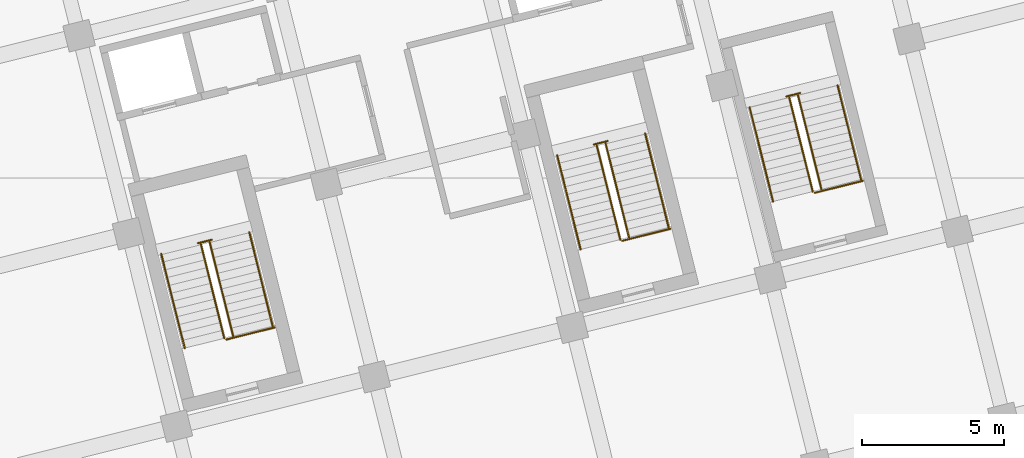
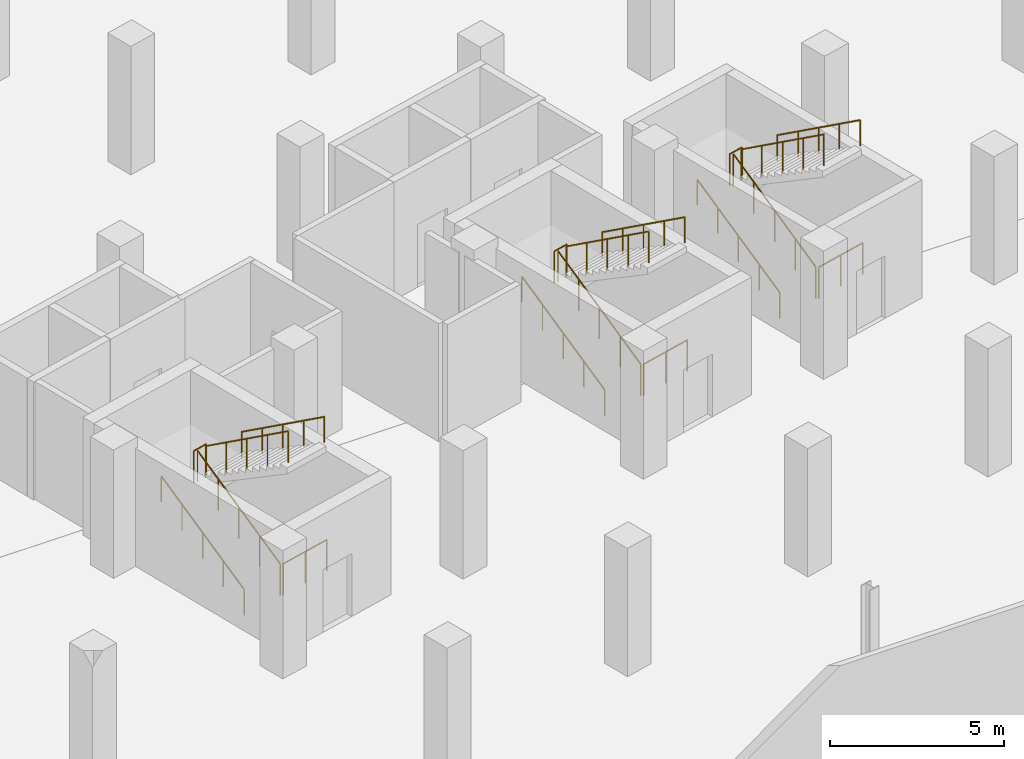
# One storey, part 29 of 31: 18 railings.
"""IFC4 building model written with IfcOpenShell, lengths in metres."""

from ifc_helpers import new_model, si_unit, direction, frame, origin, origin_2d, place, context, subcontext, project, spatial, circle, extrude, material, layer, layer_set, type_object, element, save


model = new_model("IFC4")

# Units and contexts
model_context = context("Model", 3, precision=1e-05, world=origin(), true_north=direction((0.0, 1.0)))
body_context = subcontext(model_context, "Body", "Model", "MODEL_VIEW")
ifc_project = project(units=[si_unit("LENGTHUNIT", "METRE"), si_unit("AREAUNIT", "SQUARE_METRE"), si_unit("VOLUMEUNIT", "CUBIC_METRE"), si_unit("PLANEANGLEUNIT", "RADIAN"), si_unit("MASSUNIT", "GRAM", prefix="KILO")], contexts=[model_context])

# Site, building, storey
site_placement = place(None, origin())
site = spatial("IfcSite", under=ifc_project, at=site_placement, CompositionType="ELEMENT")
building_placement = place(site_placement, origin())
building = spatial("IfcBuilding", under=site, at=building_placement, Name="Meriwether Solvik Hall", CompositionType="ELEMENT")
storey_placement = place(building_placement, frame((0.0, 0.0, -4.5)))
storey = spatial("IfcBuildingStorey", under=building, at=storey_placement, Name="B01", CompositionType="ELEMENT", Elevation=-4.5)

# Railings
ifc_material_1 = material(Name="Steel A36 Galvanised", Category="steel")
ifc_layer_1 = layer(ifc_material_1, 0.054931640625)
ifc_layer_set_1 = layer_set([ifc_layer_1], Name="Steel A36 Galvanised")
railing_type_1 = type_object("IfcRailingType", Name="RAIL-STR-GUARD", PredefinedType="GUARDRAIL", material=ifc_layer_set_1)
railing_1_placement = place(storey_placement, frame((75.090087890625, 56.092529296875, 2.25)))
element("IfcRailing", 1, at=railing_1_placement, inside=storey, type_object=railing_type_1, Name="Stair ST-01 Landing Guardrail (B01)", PredefinedType="GUARDRAIL", context=body_context, shape_type="SweptSolid", body=[
    extrude(circle(Radius=0.02392578125, at=origin_2d()), frame((0.0, 0.0, 1.09619140625), z_axis=(0.970343250308, 0.241731207299, 0.0), x_axis=(-0.241731207299, 0.970343250308, 0.0)), (0.0, 0.0, 1.0), 0.5),
    extrude(circle(Radius=0.02099609375, at=origin_2d()), origin(), (0.0, 0.0, 1.0), 1.072021484375),
    extrude(circle(Radius=0.02099609375, at=origin_2d()), frame((0.485107421875, 0.120849609375, 0.0)), (0.0, 0.0, 1.0), 1.072021484375),
])
railing_2_placement = place(storey_placement, frame((76.092041015625, 52.69384765625, 0.0)))
element("IfcRailing", 2, at=railing_2_placement, inside=storey, type_object=railing_type_1, Name="Stair ST-01 Well Guardrail (B01)", PredefinedType="GUARDRAIL", context=body_context, shape_type="SweptSolid", body=[
    extrude(circle(Radius=0.02392578125, at=origin_2d()), frame((0.0, 0.0, 1.09619140625), z_axis=(0.970298223594, 0.241911879182, 0.0), x_axis=(-0.241911879182, 0.970298223594, 0.0)), (0.0, 0.0, 1.0), 1.75),
    extrude(circle(Radius=0.02099609375, at=origin_2d()), origin(), (0.0, 0.0, 1.0), 1.072021484375),
    extrude(circle(Radius=0.02099609375, at=origin_2d()), frame((0.84912109375, 0.211669921875, 0.0)), (0.0, 0.0, 1.0), 1.072021484375),
    extrude(circle(Radius=0.02099609375, at=origin_2d()), frame((1.697998046875, 0.42333984375, 0.0)), (0.0, 0.0, 1.0), 1.072021484375),
])
railing_3_placement = place(storey_placement, frame((76.019287109375, 52.737548828125, 0.0)))
element("IfcRailing", 3, at=railing_3_placement, inside=storey, type_object=railing_type_1, Name="Stair ST-01 Flight 1 Inner Guardrail (B01)", PredefinedType="GUARDRAIL", context=body_context, shape_type="SweptSolid", body=[
    extrude(circle(Radius=0.02392578125, at=origin_2d()), frame((0.0, 0.0, 1.09619140625), z_axis=(-0.202112380038, 0.810596479635, 0.549621627157), x_axis=(-0.970293484379, -0.241930887181, 0.0)), (0.0, 0.0, 1.0), 4.09375),
    extrude(circle(Radius=0.02099609375, at=origin_2d()), origin(), (0.0, 0.0, 1.0), 1.072021484375),
    extrude(circle(Radius=0.02099609375, at=origin_2d()), frame((-0.206787109375, 0.82958984375, 0.5625)), (0.0, 0.0, 1.0), 1.072021484375),
    extrude(circle(Radius=0.02099609375, at=origin_2d()), frame((-0.41357421875, 1.6591796875, 1.125)), (0.0, 0.0, 1.0), 1.072021484375),
    extrude(circle(Radius=0.02099609375, at=origin_2d()), frame((-0.62060546875, 2.48876953125, 1.6875)), (0.0, 0.0, 1.0), 1.072021484375),
    extrude(circle(Radius=0.02099609375, at=origin_2d()), frame((-0.827392578125, 3.318359375, 2.25)), (0.0, 0.0, 1.0), 1.072021484375),
])
railing_4_placement = place(storey_placement, frame((75.502197265625, 56.13330078125, 2.25)))
element("IfcRailing", 4, at=railing_4_placement, inside=storey, type_object=railing_type_1, Name="Stair ST-01 Flight 2 Inner Guardrail (B01)", PredefinedType="GUARDRAIL", context=body_context, shape_type="SweptSolid", body=[
    extrude(circle(Radius=0.02392578125, at=origin_2d()), frame((0.0, 0.0, 1.09619140625), z_axis=(0.202112380038, -0.810596479635, 0.549621627157), x_axis=(0.970293484379, 0.241930887181, 0.0)), (0.0, 0.0, 1.0), 4.09375),
    extrude(circle(Radius=0.02099609375, at=origin_2d()), origin(), (0.0, 0.0, 1.0), 1.072021484375),
    extrude(circle(Radius=0.02099609375, at=origin_2d()), frame((0.206787109375, -0.82958984375, 0.5625)), (0.0, 0.0, 1.0), 1.072021484375),
    extrude(circle(Radius=0.02099609375, at=origin_2d()), frame((0.41357421875, -1.6591796875, 1.125)), (0.0, 0.0, 1.0), 1.072021484375),
    extrude(circle(Radius=0.02099609375, at=origin_2d()), frame((0.62060546875, -2.48876953125, 1.6875)), (0.0, 0.0, 1.0), 1.072021484375),
    extrude(circle(Radius=0.02099609375, at=origin_2d()), frame((0.827392578125, -3.318359375, 2.25)), (0.0, 0.0, 1.0), 1.072021484375),
])
railing_5_placement = place(storey_placement, frame((89.062255859375, 59.576171875, 2.25)))
element("IfcRailing", 5, at=railing_5_placement, inside=storey, type_object=railing_type_1, Name="Stair ST-02 Landing Guardrail (B01)", PredefinedType="GUARDRAIL", context=body_context, shape_type="SweptSolid", body=[
    extrude(circle(Radius=0.02392578125, at=origin_2d()), frame((0.0, 0.0, 1.09619140625), z_axis=(0.970343250308, 0.241731207299, 0.0), x_axis=(-0.241731207299, 0.970343250308, 0.0)), (0.0, 0.0, 1.0), 0.5),
    extrude(circle(Radius=0.02099609375, at=origin_2d()), origin(), (0.0, 0.0, 1.0), 1.072021484375),
    extrude(circle(Radius=0.02099609375, at=origin_2d()), frame((0.485107421875, 0.120849609375, 0.0)), (0.0, 0.0, 1.0), 1.072021484375),
])
railing_6_placement = place(storey_placement, frame((90.064208984375, 56.177490234375, 0.0)))
element("IfcRailing", 6, at=railing_6_placement, inside=storey, type_object=railing_type_1, Name="Stair ST-02 Well Guardrail (B01)", PredefinedType="GUARDRAIL", context=body_context, shape_type="SweptSolid", body=[
    extrude(circle(Radius=0.02392578125, at=origin_2d()), frame((0.0, 0.0, 1.09619140625), z_axis=(0.970298223594, 0.241911879182, 0.0), x_axis=(-0.241911879182, 0.970298223594, 0.0)), (0.0, 0.0, 1.0), 1.75),
    extrude(circle(Radius=0.02099609375, at=origin_2d()), origin(), (0.0, 0.0, 1.0), 1.072021484375),
    extrude(circle(Radius=0.02099609375, at=origin_2d()), frame((0.84912109375, 0.211669921875, 0.0)), (0.0, 0.0, 1.0), 1.072021484375),
    extrude(circle(Radius=0.02099609375, at=origin_2d()), frame((1.697998046875, 0.42333984375, 0.0)), (0.0, 0.0, 1.0), 1.072021484375),
])
railing_7_placement = place(storey_placement, frame((89.991455078125, 56.22119140625, 0.0)))
element("IfcRailing", 7, at=railing_7_placement, inside=storey, type_object=railing_type_1, Name="Stair ST-02 Flight 1 Inner Guardrail (B01)", PredefinedType="GUARDRAIL", context=body_context, shape_type="SweptSolid", body=[
    extrude(circle(Radius=0.02392578125, at=origin_2d()), frame((0.0, 0.0, 1.09619140625), z_axis=(-0.202112380038, 0.810596479635, 0.549621627157), x_axis=(-0.970293484379, -0.241930887181, 0.0)), (0.0, 0.0, 1.0), 4.09375),
    extrude(circle(Radius=0.02099609375, at=origin_2d()), origin(), (0.0, 0.0, 1.0), 1.072021484375),
    extrude(circle(Radius=0.02099609375, at=origin_2d()), frame((-0.206787109375, 0.82958984375, 0.5625)), (0.0, 0.0, 1.0), 1.072021484375),
    extrude(circle(Radius=0.02099609375, at=origin_2d()), frame((-0.41357421875, 1.6591796875, 1.125)), (0.0, 0.0, 1.0), 1.072021484375),
    extrude(circle(Radius=0.02099609375, at=origin_2d()), frame((-0.62060546875, 2.48876953125, 1.6875)), (0.0, 0.0, 1.0), 1.072021484375),
    extrude(circle(Radius=0.02099609375, at=origin_2d()), frame((-0.827392578125, 3.318359375, 2.25)), (0.0, 0.0, 1.0), 1.072021484375),
])
railing_8_placement = place(storey_placement, frame((89.474609375, 59.6171875, 2.25)))
element("IfcRailing", 8, at=railing_8_placement, inside=storey, type_object=railing_type_1, Name="Stair ST-02 Flight 2 Inner Guardrail (B01)", PredefinedType="GUARDRAIL", context=body_context, shape_type="SweptSolid", body=[
    extrude(circle(Radius=0.02392578125, at=origin_2d()), frame((0.0, 0.0, 1.09619140625), z_axis=(0.202102609838, -0.81061692993, 0.549595058209), x_axis=(0.970297662271, 0.241914130614, 0.0)), (0.0, 0.0, 1.0), 4.093994140625),
    extrude(circle(Radius=0.02099609375, at=origin_2d()), origin(), (0.0, 0.0, 1.0), 1.072021484375),
    extrude(circle(Radius=0.02099609375, at=origin_2d()), frame((0.206787109375, -0.82958984375, 0.5625)), (0.0, 0.0, 1.0), 1.072021484375),
    extrude(circle(Radius=0.02099609375, at=origin_2d()), frame((0.41357421875, -1.6591796875, 1.125)), (0.0, 0.0, 1.0), 1.072021484375),
    extrude(circle(Radius=0.02099609375, at=origin_2d()), frame((0.62060546875, -2.489013671875, 1.6875)), (0.0, 0.0, 1.0), 1.072021484375),
    extrude(circle(Radius=0.02099609375, at=origin_2d()), frame((0.827392578125, -3.318603515625, 2.25)), (0.0, 0.0, 1.0), 1.072021484375),
])
railing_9_placement = place(storey_placement, frame((95.854248046875, 61.26953125, 2.25)))
element("IfcRailing", 9, at=railing_9_placement, inside=storey, type_object=railing_type_1, Name="Stair ST-03 Landing Guardrail (B01)", PredefinedType="GUARDRAIL", context=body_context, shape_type="SweptSolid", body=[
    extrude(circle(Radius=0.02392578125, at=origin_2d()), frame((0.0, 0.0, 1.09619140625), z_axis=(0.970228607419, 0.242190935722, 0.0), x_axis=(-0.242190935722, 0.970228607419, 0.0)), (0.0, 0.0, 1.0), 0.5),
    extrude(circle(Radius=0.02099609375, at=origin_2d()), origin(), (0.0, 0.0, 1.0), 1.072021484375),
    extrude(circle(Radius=0.02099609375, at=origin_2d()), frame((0.485107421875, 0.12109375, 0.0)), (0.0, 0.0, 1.0), 1.072021484375),
])
railing_10_placement = place(storey_placement, frame((96.856201171875, 57.87109375, 0.0)))
element("IfcRailing", 10, at=railing_10_placement, inside=storey, type_object=railing_type_1, Name="Stair ST-03 Well Guardrail (B01)", PredefinedType="GUARDRAIL", context=body_context, shape_type="SweptSolid", body=[
    extrude(circle(Radius=0.02392578125, at=origin_2d()), frame((0.0, 0.0, 1.09619140625), z_axis=(0.970298223594, 0.241911879182, 0.0), x_axis=(-0.241911879182, 0.970298223594, 0.0)), (0.0, 0.0, 1.0), 1.75),
    extrude(circle(Radius=0.02099609375, at=origin_2d()), origin(), (0.0, 0.0, 1.0), 1.072021484375),
    extrude(circle(Radius=0.02099609375, at=origin_2d()), frame((0.84912109375, 0.211669921875, 0.0)), (0.0, 0.0, 1.0), 1.072021484375),
    extrude(circle(Radius=0.02099609375, at=origin_2d()), frame((1.697998046875, 0.42333984375, 0.0)), (0.0, 0.0, 1.0), 1.072021484375),
])
railing_11_placement = place(storey_placement, frame((96.783447265625, 57.914794921875, 0.0)))
element("IfcRailing", 11, at=railing_11_placement, inside=storey, type_object=railing_type_1, Name="Stair ST-03 Flight 1 Inner Guardrail (B01)", PredefinedType="GUARDRAIL", context=body_context, shape_type="SweptSolid", body=[
    extrude(circle(Radius=0.02392578125, at=origin_2d()), frame((0.0, 0.0, 1.09619140625), z_axis=(-0.202112380038, 0.810596479635, 0.549621627157), x_axis=(-0.970293484379, -0.241930887181, 0.0)), (0.0, 0.0, 1.0), 4.09375),
    extrude(circle(Radius=0.02099609375, at=origin_2d()), origin(), (0.0, 0.0, 1.0), 1.072021484375),
    extrude(circle(Radius=0.02099609375, at=origin_2d()), frame((-0.206787109375, 0.82958984375, 0.5625)), (0.0, 0.0, 1.0), 1.072021484375),
    extrude(circle(Radius=0.02099609375, at=origin_2d()), frame((-0.41357421875, 1.6591796875, 1.125)), (0.0, 0.0, 1.0), 1.072021484375),
    extrude(circle(Radius=0.02099609375, at=origin_2d()), frame((-0.62060546875, 2.48876953125, 1.6875)), (0.0, 0.0, 1.0), 1.072021484375),
    extrude(circle(Radius=0.02099609375, at=origin_2d()), frame((-0.827392578125, 3.318359375, 2.25)), (0.0, 0.0, 1.0), 1.072021484375),
])
railing_12_placement = place(storey_placement, frame((96.2666015625, 61.310546875, 2.25)))
element("IfcRailing", 12, at=railing_12_placement, inside=storey, type_object=railing_type_1, Name="Stair ST-03 Flight 2 Inner Guardrail (B01)", PredefinedType="GUARDRAIL", context=body_context, shape_type="SweptSolid", body=[
    extrude(circle(Radius=0.02392578125, at=origin_2d()), frame((0.0, 0.0, 1.09619140625), z_axis=(0.202112380038, -0.810596479635, 0.549621627157), x_axis=(0.970293484379, 0.241930887181, 0.0)), (0.0, 0.0, 1.0), 4.09375),
    extrude(circle(Radius=0.02099609375, at=origin_2d()), origin(), (0.0, 0.0, 1.0), 1.072021484375),
    extrude(circle(Radius=0.02099609375, at=origin_2d()), frame((0.206787109375, -0.82958984375, 0.5625)), (0.0, 0.0, 1.0), 1.072021484375),
    extrude(circle(Radius=0.02099609375, at=origin_2d()), frame((0.41357421875, -1.6591796875, 1.125)), (0.0, 0.0, 1.0), 1.072021484375),
    extrude(circle(Radius=0.02099609375, at=origin_2d()), frame((0.62060546875, -2.48876953125, 1.6875)), (0.0, 0.0, 1.0), 1.072021484375),
    extrude(circle(Radius=0.02099609375, at=origin_2d()), frame((0.827392578125, -3.318359375, 2.25)), (0.0, 0.0, 1.0), 1.072021484375),
])
ifc_material_2 = material(Name="Stainless Steel AISI 316", Category="steel")
ifc_layer_2 = layer(ifc_material_2, 0.044921875)
ifc_layer_set_2 = layer_set([ifc_layer_2], Name="Stainless Steel AISI 316")
railing_type_2 = type_object("IfcRailingType", Name="RAIL-STR-HAND", PredefinedType="HANDRAIL", material=ifc_layer_set_2)
railing_13_placement = place(storey_placement, frame((74.6220703125, 52.38916015625, 0.0)))
element("IfcRailing", 13, at=railing_13_placement, inside=storey, type_object=railing_type_2, Name="Stair ST-01 Lower Handrail (B01)", PredefinedType="HANDRAIL", context=body_context, shape_type="SweptSolid", body=[
    extrude(circle(Radius=0.02392578125, at=origin_2d()), frame((0.0, 0.0, 0.89599609375), z_axis=(-0.202115093549, 0.810603568121, 0.54961017486), x_axis=(-0.970293218539, -0.241931953359, 0.0)), (0.0, 0.0, 1.0), 4.100830078125),
    extrude(circle(Radius=0.02099609375, at=origin_2d()), origin(), (0.0, 0.0, 1.0), 0.871826171875),
    extrude(circle(Radius=0.02099609375, at=origin_2d()), frame((-0.207275390625, 0.8310546875, 0.5634765625)), (0.0, 0.0, 1.0), 0.871826171875),
    extrude(circle(Radius=0.02099609375, at=origin_2d()), frame((-0.41455078125, 1.662109375, 1.126953125)), (0.0, 0.0, 1.0), 0.871826171875),
    extrude(circle(Radius=0.02099609375, at=origin_2d()), frame((-0.62158203125, 2.4931640625, 1.6904296875)), (0.0, 0.0, 1.0), 0.871826171875),
    extrude(circle(Radius=0.02099609375, at=origin_2d()), frame((-0.828857421875, 3.32421875, 2.25390625)), (0.0, 0.0, 1.0), 0.871826171875),
])
railing_14_placement = place(storey_placement, frame((76.8994140625, 56.481689453125, 2.25)))
element("IfcRailing", 14, at=railing_14_placement, inside=storey, type_object=railing_type_2, Name="Stair ST-01 Upper Handrail (B01)", PredefinedType="HANDRAIL", context=body_context, shape_type="SweptSolid", body=[
    extrude(circle(Radius=0.02392578125, at=origin_2d()), frame((0.0, 0.0, 0.89599609375), z_axis=(0.202115093549, -0.810603568121, 0.54961017486), x_axis=(0.970293218539, 0.241931953359, 0.0)), (0.0, 0.0, 1.0), 4.100830078125),
    extrude(circle(Radius=0.02099609375, at=origin_2d()), origin(), (0.0, 0.0, 1.0), 0.871826171875),
    extrude(circle(Radius=0.02099609375, at=origin_2d()), frame((0.207275390625, -0.8310546875, 0.5634765625)), (0.0, 0.0, 1.0), 0.871826171875),
    extrude(circle(Radius=0.02099609375, at=origin_2d()), frame((0.41455078125, -1.662109375, 1.126953125)), (0.0, 0.0, 1.0), 0.871826171875),
    extrude(circle(Radius=0.02099609375, at=origin_2d()), frame((0.62158203125, -2.4931640625, 1.6904296875)), (0.0, 0.0, 1.0), 0.871826171875),
    extrude(circle(Radius=0.02099609375, at=origin_2d()), frame((0.828857421875, -3.32421875, 2.25390625)), (0.0, 0.0, 1.0), 0.871826171875),
])
railing_15_placement = place(storey_placement, frame((88.59423828125, 55.872802734375, 0.0)))
element("IfcRailing", 15, at=railing_15_placement, inside=storey, type_object=railing_type_2, Name="Stair ST-02 Lower Handrail (B01)", PredefinedType="HANDRAIL", context=body_context, shape_type="SweptSolid", body=[
    extrude(circle(Radius=0.02392578125, at=origin_2d()), frame((0.0, 0.0, 0.89599609375), z_axis=(-0.202115093549, 0.810603568121, 0.54961017486), x_axis=(-0.970293218539, -0.241931953359, 0.0)), (0.0, 0.0, 1.0), 4.100830078125),
    extrude(circle(Radius=0.02099609375, at=origin_2d()), origin(), (0.0, 0.0, 1.0), 0.871826171875),
    extrude(circle(Radius=0.02099609375, at=origin_2d()), frame((-0.207275390625, 0.8310546875, 0.5634765625)), (0.0, 0.0, 1.0), 0.871826171875),
    extrude(circle(Radius=0.02099609375, at=origin_2d()), frame((-0.41455078125, 1.662109375, 1.126953125)), (0.0, 0.0, 1.0), 0.871826171875),
    extrude(circle(Radius=0.02099609375, at=origin_2d()), frame((-0.62158203125, 2.4931640625, 1.6904296875)), (0.0, 0.0, 1.0), 0.871826171875),
    extrude(circle(Radius=0.02099609375, at=origin_2d()), frame((-0.828857421875, 3.32421875, 2.25390625)), (0.0, 0.0, 1.0), 0.871826171875),
])
railing_16_placement = place(storey_placement, frame((90.871826171875, 59.96533203125, 2.25)))
element("IfcRailing", 16, at=railing_16_placement, inside=storey, type_object=railing_type_2, Name="Stair ST-02 Upper Handrail (B01)", PredefinedType="HANDRAIL", context=body_context, shape_type="SweptSolid", body=[
    extrude(circle(Radius=0.02392578125, at=origin_2d()), frame((0.0, 0.0, 0.89599609375), z_axis=(0.202115093549, -0.810603568121, 0.54961017486), x_axis=(0.970293218539, 0.241931953359, 0.0)), (0.0, 0.0, 1.0), 4.100830078125),
    extrude(circle(Radius=0.02099609375, at=origin_2d()), origin(), (0.0, 0.0, 1.0), 0.871826171875),
    extrude(circle(Radius=0.02099609375, at=origin_2d()), frame((0.207275390625, -0.8310546875, 0.5634765625)), (0.0, 0.0, 1.0), 0.871826171875),
    extrude(circle(Radius=0.02099609375, at=origin_2d()), frame((0.41455078125, -1.662109375, 1.126953125)), (0.0, 0.0, 1.0), 0.871826171875),
    extrude(circle(Radius=0.02099609375, at=origin_2d()), frame((0.62158203125, -2.4931640625, 1.6904296875)), (0.0, 0.0, 1.0), 0.871826171875),
    extrude(circle(Radius=0.02099609375, at=origin_2d()), frame((0.828857421875, -3.32421875, 2.25390625)), (0.0, 0.0, 1.0), 0.871826171875),
])
railing_17_placement = place(storey_placement, frame((95.38623046875, 57.56640625, 0.0)))
element("IfcRailing", 17, at=railing_17_placement, inside=storey, type_object=railing_type_2, Name="Stair ST-03 Lower Handrail (B01)", PredefinedType="HANDRAIL", context=body_context, shape_type="SweptSolid", body=[
    extrude(circle(Radius=0.02392578125, at=origin_2d()), frame((0.0, 0.0, 0.89599609375), z_axis=(-0.202115093549, 0.810603568121, 0.54961017486), x_axis=(-0.970293218539, -0.241931953359, 0.0)), (0.0, 0.0, 1.0), 4.100830078125),
    extrude(circle(Radius=0.02099609375, at=origin_2d()), origin(), (0.0, 0.0, 1.0), 0.871826171875),
    extrude(circle(Radius=0.02099609375, at=origin_2d()), frame((-0.207275390625, 0.8310546875, 0.5634765625)), (0.0, 0.0, 1.0), 0.871826171875),
    extrude(circle(Radius=0.02099609375, at=origin_2d()), frame((-0.41455078125, 1.662109375, 1.126953125)), (0.0, 0.0, 1.0), 0.871826171875),
    extrude(circle(Radius=0.02099609375, at=origin_2d()), frame((-0.62158203125, 2.4931640625, 1.6904296875)), (0.0, 0.0, 1.0), 0.871826171875),
    extrude(circle(Radius=0.02099609375, at=origin_2d()), frame((-0.828857421875, 3.32421875, 2.25390625)), (0.0, 0.0, 1.0), 0.871826171875),
])
railing_18_placement = place(storey_placement, frame((97.663818359375, 61.658935546875, 2.25)))
element("IfcRailing", 18, at=railing_18_placement, inside=storey, type_object=railing_type_2, Name="Stair ST-03 Upper Handrail (B01)", PredefinedType="HANDRAIL", context=body_context, shape_type="SweptSolid", body=[
    extrude(circle(Radius=0.02392578125, at=origin_2d()), frame((0.0, 0.0, 0.89599609375), z_axis=(0.202115093549, -0.810603568121, 0.54961017486), x_axis=(0.970293218539, 0.241931953359, 0.0)), (0.0, 0.0, 1.0), 4.100830078125),
    extrude(circle(Radius=0.02099609375, at=origin_2d()), origin(), (0.0, 0.0, 1.0), 0.871826171875),
    extrude(circle(Radius=0.02099609375, at=origin_2d()), frame((0.207275390625, -0.8310546875, 0.5634765625)), (0.0, 0.0, 1.0), 0.871826171875),
    extrude(circle(Radius=0.02099609375, at=origin_2d()), frame((0.41455078125, -1.662109375, 1.126953125)), (0.0, 0.0, 1.0), 0.871826171875),
    extrude(circle(Radius=0.02099609375, at=origin_2d()), frame((0.62158203125, -2.4931640625, 1.6904296875)), (0.0, 0.0, 1.0), 0.871826171875),
    extrude(circle(Radius=0.02099609375, at=origin_2d()), frame((0.828857421875, -3.32421875, 2.25390625)), (0.0, 0.0, 1.0), 0.871826171875),
])

save(model, "model.ifc")
